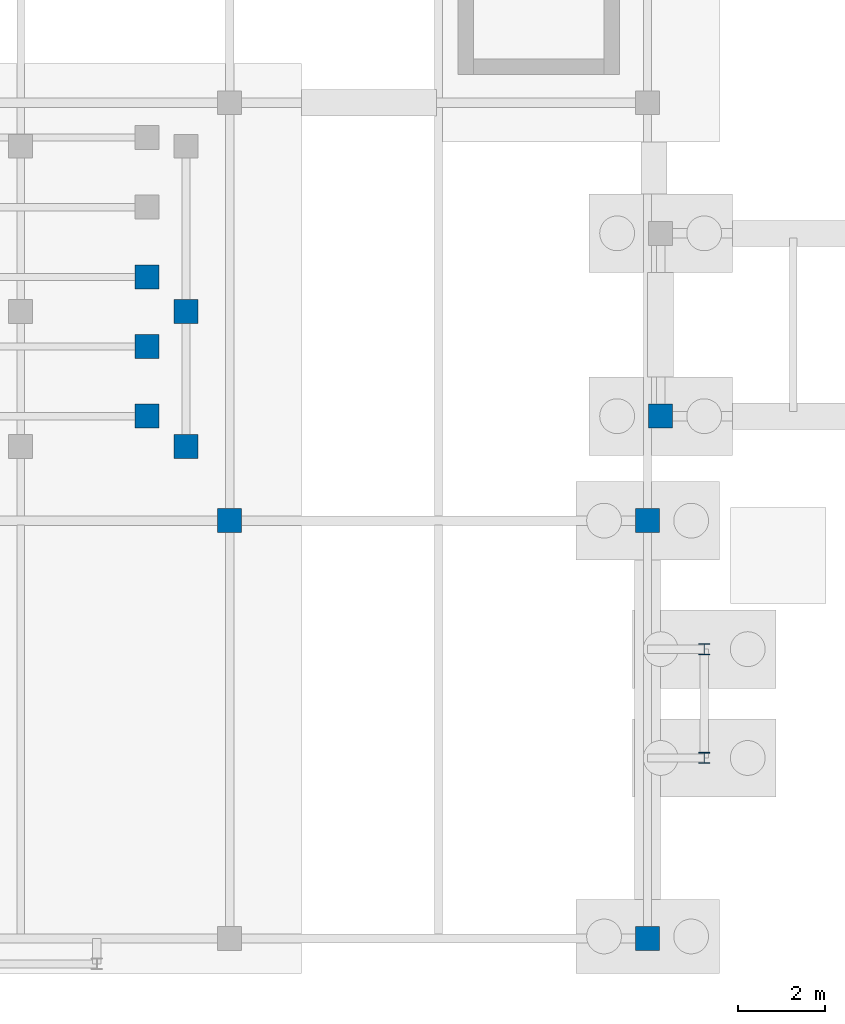
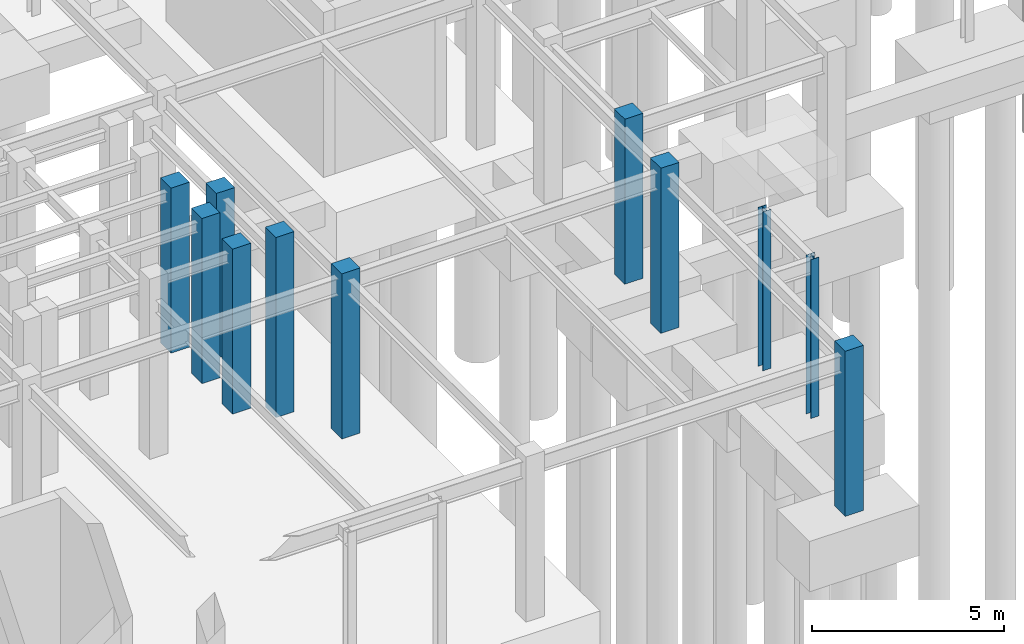
# One storey, part 9 of 55: 11 columns.
"""IFC4 building model written with IfcOpenShell, lengths in metres."""

from ifc_helpers import new_model, si_unit, direction, frame, origin, origin_2d, place, context, subcontext, project, spatial, rectangle, i_section, extrude, material, material_profile, profile_set, type_object, element, save


model = new_model("IFC4")

# Units and contexts
model_context = context("Model", 3, precision=1e-05, world=origin(), true_north=direction((0.0, 1.0)))
body_context = subcontext(model_context, "Body", "Model", "MODEL_VIEW")
ifc_project = project(units=[si_unit("LENGTHUNIT", "METRE"), si_unit("AREAUNIT", "SQUARE_METRE"), si_unit("VOLUMEUNIT", "CUBIC_METRE"), si_unit("PLANEANGLEUNIT", "RADIAN"), si_unit("MASSUNIT", "GRAM", prefix="KILO")], contexts=[model_context])

# Site, building, storey
site_placement = place(None, origin())
site = spatial("IfcSite", under=ifc_project, at=site_placement, CompositionType="ELEMENT")
building_placement = place(site_placement, origin())
building = spatial("IfcBuilding", under=site, at=building_placement, Name="Almandine Court Research Institute", CompositionType="ELEMENT")
storey_placement = place(building_placement, frame((0.0, 0.0, -5.25)))
storey = spatial("IfcBuildingStorey", under=building, at=storey_placement, Name="B1", CompositionType="ELEMENT", Elevation=-5.25)

# Columns
ifc_material_1 = material(Name="Concrete C40/50", Category="concrete")
ifc_material_profile_1 = material_profile(ifc_material_1, rectangle(XDim=0.550048828125, YDim=0.550048828125, at=origin_2d()), Name="RC 550x550")
ifc_profile_set_1 = profile_set([ifc_material_profile_1], Name="Concrete C40/50")
column_type_1 = type_object("IfcColumnType", Name="Col-C-RC3", PredefinedType="COLUMN", material=ifc_profile_set_1)
for number, where, z_axis, x_axis, name in (
    (1, (25.199951171875, 15.60009765625, 0.0), (0.0, 0.0, 1.0), (1.0, 0.0, 0.0), "B1 V1 Column V1-X3Y2"),
    (2, (34.800048828125, 6.0, 0.0), (0.0, 0.0, 1.0), (1.0, 0.0, 0.0), "B1 V1 Column V1-X4Y1"),
    (3, (34.800048828125, 15.60009765625, 0.0), (0.0, 0.0, 1.0), (1.0, 0.0, 0.0), "B1 V1 Column V1-X4Y2"),
):
    element("IfcColumn", number, at=place(storey_placement, frame(where, z_axis=z_axis, x_axis=x_axis)), inside=storey, type_object=column_type_1, Name=name, PredefinedType="COLUMN", context=body_context, shape_type="SweptSolid", body=[
        extrude(rectangle(XDim=0.550048828125, YDim=0.550048828125, at=origin_2d()), origin(), (0.0, 0.0, 1.0), 5.25),
    ])
column_placement = place(storey_placement, frame((24.199951171875, 17.300048828125, 0.0), z_axis=(0.0, 0.0, 1.0), x_axis=(1.0, 0.0, 0.0)))
element("IfcColumn", 4, at=column_placement, inside=storey, type_object=column_type_1, Name="B1 V1 Column V1RK3A", PredefinedType="COLUMN", context=body_context, shape_type="SweptSolid", body=[
    extrude(rectangle(XDim=0.550048828125, YDim=0.550048828125, at=origin_2d()), origin(), (0.0, 0.0, 1.0), 5.72998046875),
])
for number, where, z_axis, x_axis, name in (
    (5, (24.199951171875, 20.39990234375, 0.0), (0.0, 0.0, 1.0), (1.0, 0.0, 0.0), "B1 V1 Column V1RK3B"),
    (6, (23.300048828125, 18.0, 0.0), (0.0, 0.0, 1.0), (1.0, 0.0, 0.0), "B1 V1 Column V1TR2E"),
    (7, (23.300048828125, 19.60009765625, 0.0), (0.0, 0.0, 1.0), (1.0, 0.0, 0.0), "B1 V1 Column V1TR3E"),
    (8, (23.300048828125, 21.199951171875, 0.0), (0.0, 0.0, 1.0), (1.0, 0.0, 0.0), "B1 V1 Column V1TR4E"),
    (9, (35.10009765625, 18.0, 0.0), (0.0, 0.0, 1.0), (1.0, 0.0, 0.0), "B1 DAL-SW Column DAL-SW-X1Y1"),
):
    element("IfcColumn", number, at=place(storey_placement, frame(where, z_axis=z_axis, x_axis=x_axis)), inside=storey, type_object=column_type_1, Name=name, PredefinedType="COLUMN", context=body_context, shape_type="SweptSolid", body=[
        extrude(rectangle(XDim=0.550048828125, YDim=0.550048828125, at=origin_2d()), origin(), (0.0, 0.0, 1.0), 5.25),
    ])
ifc_material_2 = material(Name="Steel ASTM A992 Grade 50", Category="steel")
ifc_material_profile_2 = material_profile(ifc_material_2, i_section(OverallWidth=0.25390625, OverallDepth=0.2529296875, WebThickness=0.009033203125, FlangeThickness=0.013916015625, at=origin_2d()), Name="W250x73")
ifc_profile_set_2 = profile_set([ifc_material_profile_2], Name="Steel ASTM A992 Grade 50")
column_type_2 = type_object("IfcColumnType", Name="Col-C-W10", PredefinedType="COLUMN", material=ifc_profile_set_2)
for number, where, z_axis, x_axis, name in (
    (10, (36.10009765625, 10.14990234375, 0.0), (0.0, 0.0, 1.0), (1.0, 0.0, 0.0), "B1 Exterior Threshold Support Column PAD-V1-E1-C1"),
    (11, (36.10009765625, 12.64990234375, 0.0), (0.0, 0.0, 1.0), (1.0, 0.0, 0.0), "B1 Exterior Threshold Support Column PAD-V1-E1-C2"),
):
    element("IfcColumn", number, at=place(storey_placement, frame(where, z_axis=z_axis, x_axis=x_axis)), inside=storey, type_object=column_type_2, Name=name, PredefinedType="COLUMN", context=body_context, shape_type="SweptSolid", body=[
        extrude(i_section(OverallWidth=0.25390625, OverallDepth=0.2529296875, WebThickness=0.009033203125, FlangeThickness=0.013916015625, at=origin_2d()), origin(), (0.0, 0.0, 1.0), 5.050048828125),
    ])

save(model, "model.ifc")
